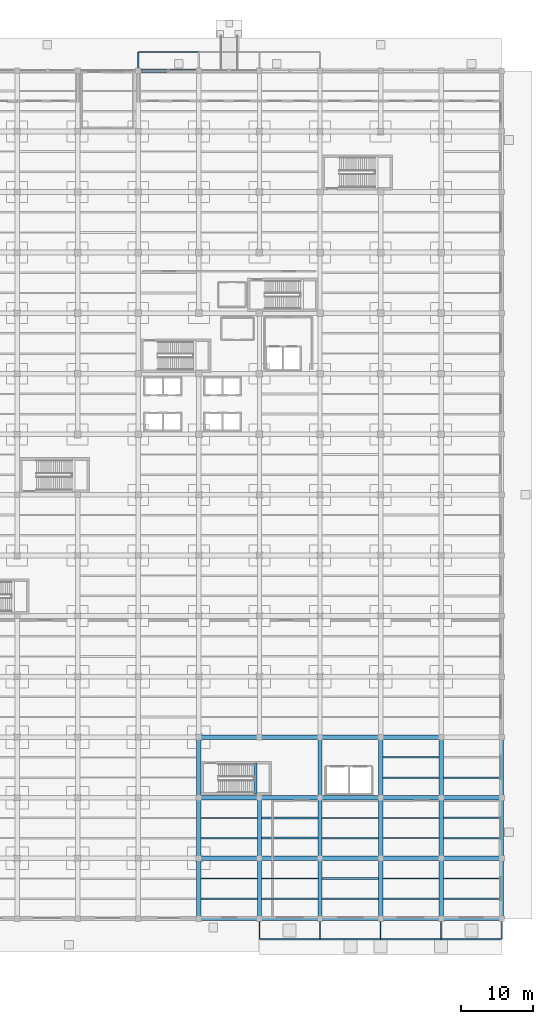
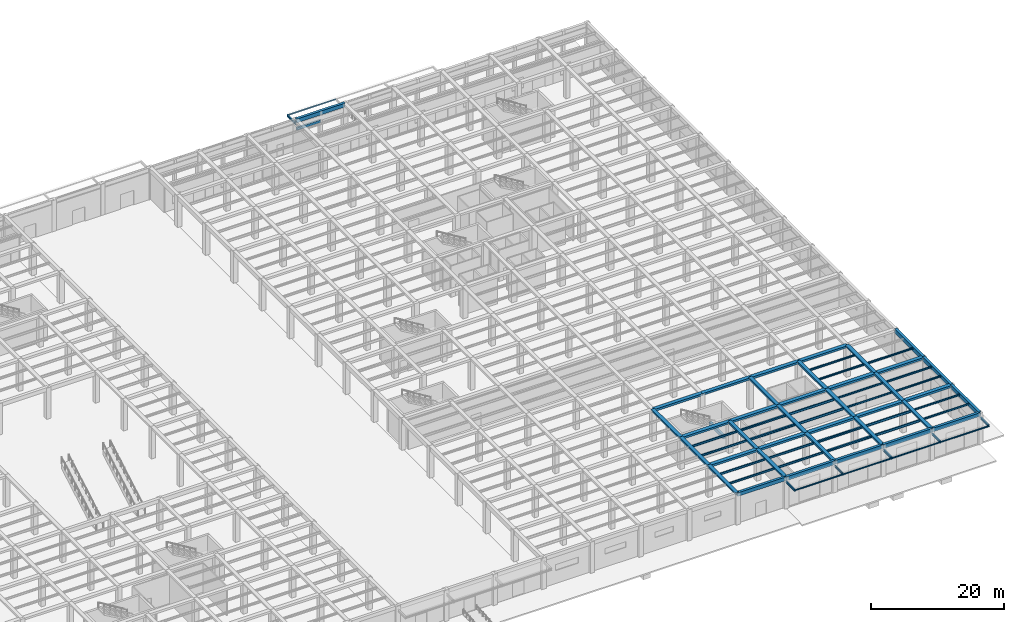
# One storey, part 12 of 43: 68 beams, 5 members.
"""IFC4 building model written with IfcOpenShell, lengths in metres."""

from ifc_helpers import new_model, si_unit, direction, frame, origin, origin_2d, place, context, subcontext, project, spatial, rectangle, hollow_rectangle, i_section, extrude, material, material_profile, profile_set, type_object, element, save


model = new_model("IFC4")

# Units and contexts
model_context = context("Model", 3, precision=1e-05, world=origin(), true_north=direction((0.0, 1.0)))
body_context = subcontext(model_context, "Body", "Model", "MODEL_VIEW")
ifc_project = project(units=[si_unit("LENGTHUNIT", "METRE"), si_unit("AREAUNIT", "SQUARE_METRE"), si_unit("VOLUMEUNIT", "CUBIC_METRE"), si_unit("PLANEANGLEUNIT", "RADIAN"), si_unit("MASSUNIT", "GRAM", prefix="KILO")], contexts=[model_context])

# Site, building, storey
site_placement = place(None, origin())
site = spatial("IfcSite", under=ifc_project, at=site_placement, CompositionType="ELEMENT")
building_placement = place(site_placement, origin())
building = spatial("IfcBuilding", under=site, at=building_placement, Name="Almacenes y Pasaje Nevantli", CompositionType="ELEMENT")
storey_placement = place(building_placement, origin())
storey = spatial("IfcBuildingStorey", under=building, at=storey_placement, Name="L01", CompositionType="ELEMENT", Elevation=0.0)

# Beams
ifc_material_1 = material(Name="Concrete C35/45", Category="concrete")
ifc_material_profile_1 = material_profile(ifc_material_1, rectangle(XDim=0.39990234375, YDim=0.60009765625, at=origin_2d()), Name="RC-BM-400x600")
ifc_profile_set_1 = profile_set([ifc_material_profile_1], Name="Concrete C35/45")
beam_type_1 = type_object("IfcBeamType", Name="BM-RC-400x600", PredefinedType="SPANDREL", material=ifc_profile_set_1)
beam_1_placement = place(storey_placement, frame((133.830078125, 17.35009765625, 2.5), z_axis=(0.0, 1.0, 0.0), x_axis=(-1.0, 0.0, 0.0)))
element("IfcBeam", 1, at=beam_1_placement, inside=storey, type_object=beam_type_1, Name="L01 Stair ST-06 Half-Landing Support Beam", PredefinedType="SPANDREL", context=body_context, shape_type="SweptSolid", body=[
    extrude(rectangle(XDim=0.39990234375, YDim=0.60009765625, at=origin_2d()), origin(), (0.0, 0.0, 1.0), 4.25),
])
ifc_material_2 = material(Name="Concrete C35/45", Category="concrete")
ifc_material_profile_2 = material_profile(ifc_material_2, rectangle(XDim=0.449951171875, YDim=0.64990234375, at=origin_2d()), Name="RC-BM-450x650")
ifc_profile_set_2 = profile_set([ifc_material_profile_2], Name="Concrete C35/45")
beam_type_2 = type_object("IfcBeamType", Name="BM-RC-450x650", PredefinedType="SPANDREL", material=ifc_profile_set_2)
for number, where, z_axis, x_axis, name in (
    (2, (126.0, 0.0, 5.375), (1.0, 0.0, 0.0), (0.0, 1.0, 0.0), "L01 East-West Reinforced Concrete Beam #1221"),
    (3, (142.800048828125, 0.0, 5.375), (1.0, 0.0, 0.0), (0.0, 1.0, 0.0), "L01 East-West Reinforced Concrete Beam #1223"),
    (4, (159.60009765625, 0.0, 5.375), (1.0, 0.0, 0.0), (0.0, 1.0, 0.0), "L01 East-West Reinforced Concrete Beam #1225"),
):
    element("IfcBeam", number, at=place(storey_placement, frame(where, z_axis=z_axis, x_axis=x_axis)), inside=storey, type_object=beam_type_2, Name=name, PredefinedType="SPANDREL", context=body_context, shape_type="SweptSolid", body=[
        extrude(rectangle(XDim=0.449951171875, YDim=0.64990234375, at=origin_2d()), origin(), (0.0, 0.0, 1.0), 8.39990234375),
    ])
ifc_material_3 = material(Name="Concrete C35/45", Category="concrete")
ifc_material_profile_3 = material_profile(ifc_material_3, rectangle(XDim=0.449951171875, YDim=0.699951171875, at=origin_2d()), Name="RC-BM-450x700")
ifc_profile_set_3 = profile_set([ifc_material_profile_3], Name="Concrete C35/45")
beam_type_3 = type_object("IfcBeamType", Name="BM-RC-450x700", PredefinedType="SPANDREL", material=ifc_profile_set_3)
for number, where, z_axis, x_axis, name in (
    (5, (134.39990234375, 0.0, 5.35009765625), (1.0, 0.0, 0.0), (0.0, 1.0, 0.0), "L01 East-West Reinforced Concrete Beam #1222"),
    (6, (151.199951171875, 0.0, 5.35009765625), (1.0, 0.0, 0.0), (0.0, 1.0, 0.0), "L01 East-West Reinforced Concrete Beam #1224"),
):
    element("IfcBeam", number, at=place(storey_placement, frame(where, z_axis=z_axis, x_axis=x_axis)), inside=storey, type_object=beam_type_3, Name=name, PredefinedType="SPANDREL", context=body_context, shape_type="SweptSolid", body=[
        extrude(rectangle(XDim=0.449951171875, YDim=0.699951171875, at=origin_2d()), origin(), (0.0, 0.0, 1.0), 8.400146484375),
    ])
for number, where, z_axis, x_axis, name in (
    (7, (117.60009765625, 117.60009765625, 5.35009765625), (1.0, 0.0, 0.0), (0.0, 1.0, 0.0), "L01 East-West Reinforced Concrete Beam #1446"),
    (8, (168.0, 0.0, 5.35009765625), (0.0, 1.0, 0.0), (-1.0, 0.0, 0.0), "L01 North-South Reinforced Concrete Beam #1675"),
):
    element("IfcBeam", number, at=place(storey_placement, frame(where, z_axis=z_axis, x_axis=x_axis)), inside=storey, type_object=beam_type_3, Name=name, PredefinedType="SPANDREL", context=body_context, shape_type="SweptSolid", body=[
        extrude(rectangle(XDim=0.449951171875, YDim=0.699951171875, at=origin_2d()), origin(), (0.0, 0.0, 1.0), 8.39990234375),
    ])
beam_2_placement = place(storey_placement, frame((168.0, 8.39990234375, 5.35009765625), z_axis=(0.0, 1.0, 0.0), x_axis=(-1.0, 0.0, 0.0)))
element("IfcBeam", 9, at=beam_2_placement, inside=storey, type_object=beam_type_3, Name="L01 North-South Reinforced Concrete Beam #1676", PredefinedType="SPANDREL", context=body_context, shape_type="SweptSolid", body=[
    extrude(rectangle(XDim=0.449951171875, YDim=0.699951171875, at=origin_2d()), origin(), (0.0, 0.0, 1.0), 8.400146484375),
])
beam_3_placement = place(storey_placement, frame((168.0, 16.800048828125, 5.35009765625), z_axis=(0.0, 1.0, 0.0), x_axis=(-1.0, 0.0, 0.0)))
element("IfcBeam", 10, at=beam_3_placement, inside=storey, type_object=beam_type_3, Name="L01 North-South Reinforced Concrete Beam #1677", PredefinedType="SPANDREL", context=body_context, shape_type="SweptSolid", body=[
    extrude(rectangle(XDim=0.449951171875, YDim=0.699951171875, at=origin_2d()), origin(), (0.0, 0.0, 1.0), 8.39990234375),
])
ifc_material_4 = material(Name="Concrete C35/45", Category="concrete")
ifc_material_profile_4 = material_profile(ifc_material_4, rectangle(XDim=0.60009765625, YDim=0.320068359375, at=origin_2d()), Name="RC-BM-600x320")
ifc_profile_set_4 = profile_set([ifc_material_profile_4], Name="Concrete C35/45")
beam_type_4 = type_object("IfcBeamType", Name="BM-RC-600x320", PredefinedType="BEAM", material=ifc_profile_set_4)
for number, where, z_axis, x_axis, name in (
    (11, (126.0, 0.0, 5.5400390625), (0.0, 1.0, 0.0), (-1.0, 0.0, 0.0), "L01 North-South Reinforced Concrete Beam #1609"),
    (12, (126.0, 16.800048828125, 5.5400390625), (0.0, 1.0, 0.0), (-1.0, 0.0, 0.0), "L01 North-South Reinforced Concrete Beam #1611"),
):
    element("IfcBeam", number, at=place(storey_placement, frame(where, z_axis=z_axis, x_axis=x_axis)), inside=storey, type_object=beam_type_4, Name=name, PredefinedType="BEAM", context=body_context, shape_type="SweptSolid", body=[
        extrude(rectangle(XDim=0.60009765625, YDim=0.320068359375, at=origin_2d()), origin(), (0.0, 0.0, 1.0), 8.39990234375),
    ])
beam_4_placement = place(storey_placement, frame((134.39990234375, 8.39990234375, 5.5400390625), z_axis=(0.0, 1.0, 0.0), x_axis=(-1.0, 0.0, 0.0)))
element("IfcBeam", 13, at=beam_4_placement, inside=storey, type_object=beam_type_4, Name="L01 North-South Reinforced Concrete Beam #1623", PredefinedType="BEAM", context=body_context, shape_type="SweptSolid", body=[
    extrude(rectangle(XDim=0.60009765625, YDim=0.320068359375, at=origin_2d()), origin(), (0.0, 0.0, 1.0), 8.400146484375),
])
for number, where, z_axis, x_axis, name in (
    (14, (142.800048828125, 0.0, 5.5400390625), (0.0, 1.0, 0.0), (-1.0, 0.0, 0.0), "L01 North-South Reinforced Concrete Beam #1634"),
    (15, (142.800048828125, 16.800048828125, 5.5400390625), (0.0, 1.0, 0.0), (-1.0, 0.0, 0.0), "L01 North-South Reinforced Concrete Beam #1636"),
):
    element("IfcBeam", number, at=place(storey_placement, frame(where, z_axis=z_axis, x_axis=x_axis)), inside=storey, type_object=beam_type_4, Name=name, PredefinedType="BEAM", context=body_context, shape_type="SweptSolid", body=[
        extrude(rectangle(XDim=0.60009765625, YDim=0.320068359375, at=origin_2d()), origin(), (0.0, 0.0, 1.0), 8.39990234375),
    ])
beam_5_placement = place(storey_placement, frame((151.199951171875, 8.39990234375, 5.5400390625), z_axis=(0.0, 1.0, 0.0), x_axis=(-1.0, 0.0, 0.0)))
element("IfcBeam", 16, at=beam_5_placement, inside=storey, type_object=beam_type_4, Name="L01 North-South Reinforced Concrete Beam #1649", PredefinedType="BEAM", context=body_context, shape_type="SweptSolid", body=[
    extrude(rectangle(XDim=0.60009765625, YDim=0.320068359375, at=origin_2d()), origin(), (0.0, 0.0, 1.0), 8.400146484375),
])
for number, where, z_axis, x_axis, name in (
    (17, (159.60009765625, 0.0, 5.5400390625), (0.0, 1.0, 0.0), (-1.0, 0.0, 0.0), "L01 North-South Reinforced Concrete Beam #1661"),
    (18, (159.60009765625, 16.800048828125, 5.5400390625), (0.0, 1.0, 0.0), (-1.0, 0.0, 0.0), "L01 North-South Reinforced Concrete Beam #1663"),
):
    element("IfcBeam", number, at=place(storey_placement, frame(where, z_axis=z_axis, x_axis=x_axis)), inside=storey, type_object=beam_type_4, Name=name, PredefinedType="BEAM", context=body_context, shape_type="SweptSolid", body=[
        extrude(rectangle(XDim=0.60009765625, YDim=0.320068359375, at=origin_2d()), origin(), (0.0, 0.0, 1.0), 8.39990234375),
    ])
ifc_material_5 = material(Name="Concrete C35/45", Category="concrete")
ifc_material_profile_5 = material_profile(ifc_material_5, rectangle(XDim=0.60009765625, YDim=0.340087890625, at=origin_2d()), Name="RC-BM-600x340")
ifc_profile_set_5 = profile_set([ifc_material_profile_5], Name="Concrete C35/45")
beam_type_5 = type_object("IfcBeamType", Name="BM-RC-600x340", PredefinedType="BEAM", material=ifc_profile_set_5)
beam_6_placement = place(storey_placement, frame((126.0, 8.39990234375, 5.530029296875), z_axis=(0.0, 1.0, 0.0), x_axis=(-1.0, 0.0, 0.0)))
element("IfcBeam", 19, at=beam_6_placement, inside=storey, type_object=beam_type_5, Name="L01 North-South Reinforced Concrete Beam #1610", PredefinedType="BEAM", context=body_context, shape_type="SweptSolid", body=[
    extrude(rectangle(XDim=0.60009765625, YDim=0.340087890625, at=origin_2d()), origin(), (0.0, 0.0, 1.0), 8.400146484375),
])
beam_7_placement = place(storey_placement, frame((134.39990234375, 0.0, 5.530029296875), z_axis=(0.0, 1.0, 0.0), x_axis=(-1.0, 0.0, 0.0)))
element("IfcBeam", 20, at=beam_7_placement, inside=storey, type_object=beam_type_5, Name="L01 North-South Reinforced Concrete Beam #1622", PredefinedType="BEAM", context=body_context, shape_type="SweptSolid", body=[
    extrude(rectangle(XDim=0.60009765625, YDim=0.340087890625, at=origin_2d()), origin(), (0.0, 0.0, 1.0), 8.39990234375),
])
beam_8_placement = place(storey_placement, frame((142.800048828125, 8.39990234375, 5.530029296875), z_axis=(0.0, 1.0, 0.0), x_axis=(-1.0, 0.0, 0.0)))
element("IfcBeam", 21, at=beam_8_placement, inside=storey, type_object=beam_type_5, Name="L01 North-South Reinforced Concrete Beam #1635", PredefinedType="BEAM", context=body_context, shape_type="SweptSolid", body=[
    extrude(rectangle(XDim=0.60009765625, YDim=0.340087890625, at=origin_2d()), origin(), (0.0, 0.0, 1.0), 8.400146484375),
])
for number, where, z_axis, x_axis, name in (
    (22, (151.199951171875, 0.0, 5.530029296875), (0.0, 1.0, 0.0), (-1.0, 0.0, 0.0), "L01 North-South Reinforced Concrete Beam #1648"),
    (23, (151.199951171875, 16.800048828125, 5.530029296875), (0.0, 1.0, 0.0), (-1.0, 0.0, 0.0), "L01 North-South Reinforced Concrete Beam #1650"),
):
    element("IfcBeam", number, at=place(storey_placement, frame(where, z_axis=z_axis, x_axis=x_axis)), inside=storey, type_object=beam_type_5, Name=name, PredefinedType="BEAM", context=body_context, shape_type="SweptSolid", body=[
        extrude(rectangle(XDim=0.60009765625, YDim=0.340087890625, at=origin_2d()), origin(), (0.0, 0.0, 1.0), 8.39990234375),
    ])
beam_9_placement = place(storey_placement, frame((159.60009765625, 8.39990234375, 5.530029296875), z_axis=(0.0, 1.0, 0.0), x_axis=(-1.0, 0.0, 0.0)))
element("IfcBeam", 24, at=beam_9_placement, inside=storey, type_object=beam_type_5, Name="L01 North-South Reinforced Concrete Beam #1662", PredefinedType="BEAM", context=body_context, shape_type="SweptSolid", body=[
    extrude(rectangle(XDim=0.60009765625, YDim=0.340087890625, at=origin_2d()), origin(), (0.0, 0.0, 1.0), 8.400146484375),
])
ifc_material_6 = material(Name="Concrete C35/45", Category="concrete")
ifc_material_profile_6 = material_profile(ifc_material_6, rectangle(XDim=0.64990234375, YDim=0.35009765625, at=origin_2d()), Name="RC-BM-650x350")
ifc_profile_set_6 = profile_set([ifc_material_profile_6], Name="Concrete C35/45")
beam_type_6 = type_object("IfcBeamType", Name="BM-RC-650x350", PredefinedType="BEAM", material=ifc_profile_set_6)
for number, where, z_axis, x_axis, name in (
    (25, (134.39990234375, 8.39990234375, 5.52490234375), (1.0, 0.0, 0.0), (0.0, 1.0, 0.0), "L01 East-West Reinforced Concrete Beam #1236"),
    (26, (151.199951171875, 8.39990234375, 5.52490234375), (1.0, 0.0, 0.0), (0.0, 1.0, 0.0), "L01 East-West Reinforced Concrete Beam #1238"),
):
    element("IfcBeam", number, at=place(storey_placement, frame(where, z_axis=z_axis, x_axis=x_axis)), inside=storey, type_object=beam_type_6, Name=name, PredefinedType="BEAM", context=body_context, shape_type="SweptSolid", body=[
        extrude(rectangle(XDim=0.64990234375, YDim=0.35009765625, at=origin_2d()), origin(), (0.0, 0.0, 1.0), 8.400146484375),
    ])
for number, where, z_axis, x_axis, name in (
    (27, (126.0, 16.800048828125, 5.52490234375), (1.0, 0.0, 0.0), (0.0, 1.0, 0.0), "L01 East-West Reinforced Concrete Beam #1249"),
    (28, (142.800048828125, 16.800048828125, 5.52490234375), (1.0, 0.0, 0.0), (0.0, 1.0, 0.0), "L01 East-West Reinforced Concrete Beam #1251"),
    (29, (159.60009765625, 16.800048828125, 5.52490234375), (1.0, 0.0, 0.0), (0.0, 1.0, 0.0), "L01 East-West Reinforced Concrete Beam #1253"),
):
    element("IfcBeam", number, at=place(storey_placement, frame(where, z_axis=z_axis, x_axis=x_axis)), inside=storey, type_object=beam_type_6, Name=name, PredefinedType="BEAM", context=body_context, shape_type="SweptSolid", body=[
        extrude(rectangle(XDim=0.64990234375, YDim=0.35009765625, at=origin_2d()), origin(), (0.0, 0.0, 1.0), 8.39990234375),
    ])
for number, where, z_axis, x_axis, name in (
    (30, (134.39990234375, 25.199951171875, 5.52490234375), (1.0, 0.0, 0.0), (0.0, 1.0, 0.0), "L01 East-West Reinforced Concrete Beam #1267"),
    (31, (151.199951171875, 25.199951171875, 5.52490234375), (1.0, 0.0, 0.0), (0.0, 1.0, 0.0), "L01 East-West Reinforced Concrete Beam #1269"),
):
    element("IfcBeam", number, at=place(storey_placement, frame(where, z_axis=z_axis, x_axis=x_axis)), inside=storey, type_object=beam_type_6, Name=name, PredefinedType="BEAM", context=body_context, shape_type="SweptSolid", body=[
        extrude(rectangle(XDim=0.64990234375, YDim=0.35009765625, at=origin_2d()), origin(), (0.0, 0.0, 1.0), 8.400146484375),
    ])
ifc_material_7 = material(Name="Concrete C35/45", Category="concrete")
ifc_material_profile_7 = material_profile(ifc_material_7, rectangle(XDim=0.64990234375, YDim=0.3798828125, at=origin_2d()), Name="RC-BM-650x380")
ifc_profile_set_7 = profile_set([ifc_material_profile_7], Name="Concrete C35/45")
beam_type_7 = type_object("IfcBeamType", Name="BM-RC-650x380", PredefinedType="BEAM", material=ifc_profile_set_7)
for number, where, z_axis, x_axis, name in (
    (32, (126.0, 8.39990234375, 5.510009765625), (1.0, 0.0, 0.0), (0.0, 1.0, 0.0), "L01 East-West Reinforced Concrete Beam #1235"),
    (33, (142.800048828125, 8.39990234375, 5.510009765625), (1.0, 0.0, 0.0), (0.0, 1.0, 0.0), "L01 East-West Reinforced Concrete Beam #1237"),
    (34, (159.60009765625, 8.39990234375, 5.510009765625), (1.0, 0.0, 0.0), (0.0, 1.0, 0.0), "L01 East-West Reinforced Concrete Beam #1239"),
):
    element("IfcBeam", number, at=place(storey_placement, frame(where, z_axis=z_axis, x_axis=x_axis)), inside=storey, type_object=beam_type_7, Name=name, PredefinedType="BEAM", context=body_context, shape_type="SweptSolid", body=[
        extrude(rectangle(XDim=0.64990234375, YDim=0.3798828125, at=origin_2d()), origin(), (0.0, 0.0, 1.0), 8.39990234375),
    ])
for number, where, z_axis, x_axis, name in (
    (35, (134.39990234375, 16.800048828125, 5.510009765625), (1.0, 0.0, 0.0), (0.0, 1.0, 0.0), "L01 East-West Reinforced Concrete Beam #1250"),
    (36, (151.199951171875, 16.800048828125, 5.510009765625), (1.0, 0.0, 0.0), (0.0, 1.0, 0.0), "L01 East-West Reinforced Concrete Beam #1252"),
):
    element("IfcBeam", number, at=place(storey_placement, frame(where, z_axis=z_axis, x_axis=x_axis)), inside=storey, type_object=beam_type_7, Name=name, PredefinedType="BEAM", context=body_context, shape_type="SweptSolid", body=[
        extrude(rectangle(XDim=0.64990234375, YDim=0.3798828125, at=origin_2d()), origin(), (0.0, 0.0, 1.0), 8.400146484375),
    ])
for number, where, z_axis, x_axis, name in (
    (37, (126.0, 25.199951171875, 5.510009765625), (1.0, 0.0, 0.0), (0.0, 1.0, 0.0), "L01 East-West Reinforced Concrete Beam #1266"),
    (38, (142.800048828125, 25.199951171875, 5.510009765625), (1.0, 0.0, 0.0), (0.0, 1.0, 0.0), "L01 East-West Reinforced Concrete Beam #1268"),
):
    element("IfcBeam", number, at=place(storey_placement, frame(where, z_axis=z_axis, x_axis=x_axis)), inside=storey, type_object=beam_type_7, Name=name, PredefinedType="BEAM", context=body_context, shape_type="SweptSolid", body=[
        extrude(rectangle(XDim=0.64990234375, YDim=0.3798828125, at=origin_2d()), origin(), (0.0, 0.0, 1.0), 8.39990234375),
    ])
ifc_material_8 = material(Name="Concrete C35/45", Category="concrete")
ifc_material_profile_8 = material_profile(ifc_material_8, rectangle(XDim=0.300048828125, YDim=0.449951171875, at=origin_2d()), Name="RC-LIN-300x450")
ifc_profile_set_8 = profile_set([ifc_material_profile_8], Name="Concrete C35/45")
beam_type_8 = type_object("IfcBeamType", Name="BM-RC-LIN300", PredefinedType="LINTEL", material=ifc_profile_set_8)
beam_10_placement = place(storey_placement, frame((117.60009765625, 117.5, 3.875), z_axis=(1.0, 0.0, 0.0), x_axis=(0.0, 1.0, 0.0)))
element("IfcBeam", 39, at=beam_10_placement, inside=storey, type_object=beam_type_8, Name="L01 Boulevard Portales Architrave Beam 15A", PredefinedType="LINTEL", context=body_context, shape_type="SweptSolid", body=[
    extrude(rectangle(XDim=0.300048828125, YDim=0.449951171875, at=origin_2d()), origin(), (0.0, 0.0, 1.0), 4.199951171875),
])
ifc_material_9 = material(Name="Steel ASTM A992", Category="steel")
ifc_material_profile_9 = material_profile(ifc_material_9, i_section(OverallWidth=0.1650390625, OverallDepth=0.306884765625, WebThickness=0.006591796875, FlangeThickness=0.01025390625, at=origin_2d()), Name="IR 305x44.6")
ifc_profile_set_9 = profile_set([ifc_material_profile_9], Name="Steel ASTM A992")
beam_type_9 = type_object("IfcBeamType", Name="BM-STL-IR-305x44p6", PredefinedType="JOIST", material=ifc_profile_set_9)
for number, where, z_axis, x_axis, name in (
    (40, (151.5, 11.199951171875, 5.53857421875), (1.0, 0.0, 0.0), (0.0, 1.0, 0.0), "L01 Secondary Steel Floor Joist #287"),
    (41, (151.5, 14.0, 5.53857421875), (1.0, 0.0, 0.0), (0.0, 1.0, 0.0), "L01 Secondary Steel Floor Joist #288"),
):
    element("IfcBeam", number, at=place(storey_placement, frame(where, z_axis=z_axis, x_axis=x_axis)), inside=storey, type_object=beam_type_9, Name=name, PredefinedType="JOIST", context=body_context, shape_type="SweptSolid", body=[
        extrude(i_section(OverallWidth=0.1650390625, OverallDepth=0.306884765625, WebThickness=0.006591796875, FlangeThickness=0.01025390625, at=origin_2d()), origin(), (0.0, 0.0, 1.0), 7.800048828125),
    ])
for number, where, z_axis, x_axis, name in (
    (42, (159.89990234375, 2.800048828125, 5.53857421875), (1.0, 0.0, 0.0), (0.0, 1.0, 0.0), "L01 Secondary Steel Floor Joist #311"),
    (43, (159.89990234375, 5.60009765625, 5.53857421875), (1.0, 0.0, 0.0), (0.0, 1.0, 0.0), "L01 Secondary Steel Floor Joist #312"),
):
    element("IfcBeam", number, at=place(storey_placement, frame(where, z_axis=z_axis, x_axis=x_axis)), inside=storey, type_object=beam_type_9, Name=name, PredefinedType="JOIST", context=body_context, shape_type="SweptSolid", body=[
        extrude(i_section(OverallWidth=0.1650390625, OverallDepth=0.306884765625, WebThickness=0.006591796875, FlangeThickness=0.01025390625, at=origin_2d()), origin(), (0.0, 0.0, 1.0), 7.875),
    ])
ifc_material_10 = material(Name="Steel ASTM A992", Category="steel")
ifc_material_profile_10 = material_profile(ifc_material_10, i_section(OverallWidth=0.202880859375, OverallDepth=0.304931640625, WebThickness=0.007568359375, FlangeThickness=0.01318359375, at=origin_2d()), Name="IR 305x59.5")
ifc_profile_set_10 = profile_set([ifc_material_profile_10], Name="Steel ASTM A992")
beam_type_10 = type_object("IfcBeamType", Name="BM-STL-IR-305x59p5", PredefinedType="JOIST", material=ifc_profile_set_10)
for number, where, z_axis, x_axis, name in (
    (44, (151.5, 19.60009765625, 5.53955078125), (1.0, 0.0, 0.0), (0.0, 1.0, 0.0), "L01 Secondary Steel Floor Joist #289"),
    (45, (151.5, 22.39990234375, 5.53955078125), (1.0, 0.0, 0.0), (0.0, 1.0, 0.0), "L01 Secondary Steel Floor Joist #290"),
):
    element("IfcBeam", number, at=place(storey_placement, frame(where, z_axis=z_axis, x_axis=x_axis)), inside=storey, type_object=beam_type_10, Name=name, PredefinedType="JOIST", context=body_context, shape_type="SweptSolid", body=[
        extrude(i_section(OverallWidth=0.202880859375, OverallDepth=0.304931640625, WebThickness=0.007568359375, FlangeThickness=0.01318359375, at=origin_2d()), origin(), (0.0, 0.0, 1.0), 7.800048828125),
    ])
for number, where, z_axis, x_axis, name in (
    (46, (159.89990234375, 11.199951171875, 5.53955078125), (1.0, 0.0, 0.0), (0.0, 1.0, 0.0), "L01 Secondary Steel Floor Joist #313"),
    (47, (159.89990234375, 14.0, 5.53955078125), (1.0, 0.0, 0.0), (0.0, 1.0, 0.0), "L01 Secondary Steel Floor Joist #314"),
):
    element("IfcBeam", number, at=place(storey_placement, frame(where, z_axis=z_axis, x_axis=x_axis)), inside=storey, type_object=beam_type_10, Name=name, PredefinedType="JOIST", context=body_context, shape_type="SweptSolid", body=[
        extrude(i_section(OverallWidth=0.202880859375, OverallDepth=0.304931640625, WebThickness=0.007568359375, FlangeThickness=0.01318359375, at=origin_2d()), origin(), (0.0, 0.0, 1.0), 7.875),
    ])
ifc_material_11 = material(Name="Steel ASTM A992", Category="steel")
ifc_material_profile_11 = material_profile(ifc_material_11, i_section(OverallWidth=0.205078125, OverallDepth=0.31005859375, WebThickness=0.009521484375, FlangeThickness=0.016357421875, at=origin_2d()), Name="IR 305x74.4")
ifc_profile_set_11 = profile_set([ifc_material_profile_11], Name="Steel ASTM A992")
beam_type_11 = type_object("IfcBeamType", Name="BM-STL-IR-305x74p4", PredefinedType="JOIST", material=ifc_profile_set_11)
beam_11_placement = place(storey_placement, frame((159.89990234375, 19.60009765625, 5.537109375), z_axis=(1.0, 0.0, 0.0), x_axis=(0.0, 1.0, 0.0)))
element("IfcBeam", 48, at=beam_11_placement, inside=storey, type_object=beam_type_11, Name="L01 Secondary Steel Floor Joist #315", PredefinedType="JOIST", context=body_context, shape_type="SweptSolid", body=[
    extrude(i_section(OverallWidth=0.205078125, OverallDepth=0.31005859375, WebThickness=0.009521484375, FlangeThickness=0.016357421875, at=origin_2d()), origin(), (0.0, 0.0, 1.0), 7.875),
])
ifc_material_12 = material(Name="Steel ASTM A992", Category="steel")
ifc_material_profile_12 = material_profile(ifc_material_12, i_section(OverallWidth=0.173095703125, OverallDepth=0.35302734375, WebThickness=0.0078125, FlangeThickness=0.01318359375, at=origin_2d()), Name="IR 356x56.6")
ifc_profile_set_12 = profile_set([ifc_material_profile_12], Name="Steel ASTM A992")
beam_type_12 = type_object("IfcBeamType", Name="BM-STL-IR-356x56p6", PredefinedType="JOIST", material=ifc_profile_set_12)
for number, where, z_axis, x_axis, name in (
    (49, (126.300048828125, 2.800048828125, 5.515380859375), (1.0, 0.0, 0.0), (0.0, 1.0, 0.0), "L01 Secondary Steel Floor Joist #219"),
    (50, (126.300048828125, 5.60009765625, 5.515380859375), (1.0, 0.0, 0.0), (0.0, 1.0, 0.0), "L01 Secondary Steel Floor Joist #220"),
):
    element("IfcBeam", number, at=place(storey_placement, frame(where, z_axis=z_axis, x_axis=x_axis)), inside=storey, type_object=beam_type_12, Name=name, PredefinedType="JOIST", context=body_context, shape_type="SweptSolid", body=[
        extrude(i_section(OverallWidth=0.173095703125, OverallDepth=0.35302734375, WebThickness=0.0078125, FlangeThickness=0.01318359375, at=origin_2d()), origin(), (0.0, 0.0, 1.0), 7.800048828125),
    ])
ifc_material_13 = material(Name="Steel ASTM A992", Category="steel")
ifc_material_profile_13 = material_profile(ifc_material_13, i_section(OverallWidth=0.173095703125, OverallDepth=0.364013671875, WebThickness=0.009033203125, FlangeThickness=0.015625, at=origin_2d()), Name="IR 356x67.0")
ifc_profile_set_13 = profile_set([ifc_material_profile_13], Name="Steel ASTM A992")
beam_type_13 = type_object("IfcBeamType", Name="BM-STL-IR-356x67p0", PredefinedType="JOIST", material=ifc_profile_set_13)
for number, where, z_axis, x_axis, name in (
    (51, (126.300048828125, 11.199951171875, 5.510009765625), (1.0, 0.0, 0.0), (0.0, 1.0, 0.0), "L01 Secondary Steel Floor Joist #221"),
    (52, (126.300048828125, 14.0, 5.510009765625), (1.0, 0.0, 0.0), (0.0, 1.0, 0.0), "L01 Secondary Steel Floor Joist #222"),
    (53, (134.699951171875, 2.800048828125, 5.510009765625), (1.0, 0.0, 0.0), (0.0, 1.0, 0.0), "L01 Secondary Steel Floor Joist #239"),
    (54, (134.699951171875, 5.60009765625, 5.510009765625), (1.0, 0.0, 0.0), (0.0, 1.0, 0.0), "L01 Secondary Steel Floor Joist #240"),
):
    element("IfcBeam", number, at=place(storey_placement, frame(where, z_axis=z_axis, x_axis=x_axis)), inside=storey, type_object=beam_type_13, Name=name, PredefinedType="JOIST", context=body_context, shape_type="SweptSolid", body=[
        extrude(i_section(OverallWidth=0.173095703125, OverallDepth=0.364013671875, WebThickness=0.009033203125, FlangeThickness=0.015625, at=origin_2d()), origin(), (0.0, 0.0, 1.0), 7.800048828125),
    ])
ifc_material_14 = material(Name="Steel ASTM A992", Category="steel")
ifc_material_profile_14 = material_profile(ifc_material_14, i_section(OverallWidth=0.25390625, OverallDepth=0.35595703125, WebThickness=0.009521484375, FlangeThickness=0.016357421875, at=origin_2d()), Name="IR 356x79.0")
ifc_profile_set_14 = profile_set([ifc_material_profile_14], Name="Steel ASTM A992")
beam_type_14 = type_object("IfcBeamType", Name="BM-STL-IR-356x79p0", PredefinedType="JOIST", material=ifc_profile_set_14)
for number, where, z_axis, x_axis, name in (
    (55, (134.699951171875, 11.199951171875, 5.513916015625), (1.0, 0.0, 0.0), (0.0, 1.0, 0.0), "L01 Secondary Steel Floor Joist #241"),
    (56, (134.699951171875, 14.0, 5.513916015625), (1.0, 0.0, 0.0), (0.0, 1.0, 0.0), "L01 Secondary Steel Floor Joist #242"),
):
    element("IfcBeam", number, at=place(storey_placement, frame(where, z_axis=z_axis, x_axis=x_axis)), inside=storey, type_object=beam_type_14, Name=name, PredefinedType="JOIST", context=body_context, shape_type="SweptSolid", body=[
        extrude(i_section(OverallWidth=0.25390625, OverallDepth=0.35595703125, WebThickness=0.009521484375, FlangeThickness=0.016357421875, at=origin_2d()), origin(), (0.0, 0.0, 1.0), 7.800048828125),
    ])
for number, where, z_axis, x_axis, name in (
    (57, (143.10009765625, 2.800048828125, 5.513916015625), (1.0, 0.0, 0.0), (0.0, 1.0, 0.0), "L01 Secondary Steel Floor Joist #261"),
    (58, (143.10009765625, 5.60009765625, 5.513916015625), (1.0, 0.0, 0.0), (0.0, 1.0, 0.0), "L01 Secondary Steel Floor Joist #262"),
):
    element("IfcBeam", number, at=place(storey_placement, frame(where, z_axis=z_axis, x_axis=x_axis)), inside=storey, type_object=beam_type_14, Name=name, PredefinedType="JOIST", context=body_context, shape_type="SweptSolid", body=[
        extrude(i_section(OverallWidth=0.25390625, OverallDepth=0.35595703125, WebThickness=0.009521484375, FlangeThickness=0.016357421875, at=origin_2d()), origin(), (0.0, 0.0, 1.0), 7.7998046875),
    ])
ifc_material_15 = material(Name="Steel ASTM A992", Category="steel")
ifc_material_profile_15 = material_profile(ifc_material_15, i_section(OverallWidth=0.178955078125, OverallDepth=0.406005859375, WebThickness=0.0087890625, FlangeThickness=0.014404296875, at=origin_2d()), Name="IR 406x67.0")
ifc_profile_set_15 = profile_set([ifc_material_profile_15], Name="Steel ASTM A992")
beam_type_15 = type_object("IfcBeamType", Name="BM-STL-IR-406x67p0", PredefinedType="JOIST", material=ifc_profile_set_15)
for number, where, z_axis, x_axis, name in (
    (59, (143.10009765625, 11.199951171875, 5.489013671875), (1.0, 0.0, 0.0), (0.0, 1.0, 0.0), "L01 Secondary Steel Floor Joist #263"),
    (60, (143.10009765625, 14.0, 5.489013671875), (1.0, 0.0, 0.0), (0.0, 1.0, 0.0), "L01 Secondary Steel Floor Joist #264"),
):
    element("IfcBeam", number, at=place(storey_placement, frame(where, z_axis=z_axis, x_axis=x_axis)), inside=storey, type_object=beam_type_15, Name=name, PredefinedType="JOIST", context=body_context, shape_type="SweptSolid", body=[
        extrude(i_section(OverallWidth=0.178955078125, OverallDepth=0.406005859375, WebThickness=0.0087890625, FlangeThickness=0.014404296875, at=origin_2d()), origin(), (0.0, 0.0, 1.0), 7.7998046875),
    ])
for number, where, z_axis, x_axis, name in (
    (61, (151.5, 2.800048828125, 5.489013671875), (1.0, 0.0, 0.0), (0.0, 1.0, 0.0), "L01 Secondary Steel Floor Joist #285"),
    (62, (151.5, 5.60009765625, 5.489013671875), (1.0, 0.0, 0.0), (0.0, 1.0, 0.0), "L01 Secondary Steel Floor Joist #286"),
):
    element("IfcBeam", number, at=place(storey_placement, frame(where, z_axis=z_axis, x_axis=x_axis)), inside=storey, type_object=beam_type_15, Name=name, PredefinedType="JOIST", context=body_context, shape_type="SweptSolid", body=[
        extrude(i_section(OverallWidth=0.178955078125, OverallDepth=0.406005859375, WebThickness=0.0087890625, FlangeThickness=0.014404296875, at=origin_2d()), origin(), (0.0, 0.0, 1.0), 7.800048828125),
    ])
ifc_material_16 = material(Name="Steel ASTM A992", Category="steel")
ifc_material_profile_16 = material_profile(ifc_material_16, i_section(OverallWidth=0.180908203125, OverallDepth=0.406005859375, WebThickness=0.010986328125, FlangeThickness=0.018310546875, at=origin_2d()), Name="IR 406x85.0")
ifc_profile_set_16 = profile_set([ifc_material_profile_16], Name="Steel ASTM A992")
beam_type_16 = type_object("IfcBeamType", Name="BM-STL-IR-406x85p0", PredefinedType="BEAM", material=ifc_profile_set_16)
beam_12_placement = place(storey_placement, frame((117.60009765625, 117.60009765625, 4.7099609375), z_axis=(0.0, 1.0, 0.0), x_axis=(-1.0, 0.0, 0.0)))
element("IfcBeam", 63, at=beam_12_placement, inside=storey, type_object=beam_type_16, Name="Canopy Cantilever Steel Outrigger cnp-north-tower at X=117.6", PredefinedType="BEAM", context=body_context, shape_type="SweptSolid", body=[
    extrude(i_section(OverallWidth=0.180908203125, OverallDepth=0.406005859375, WebThickness=0.010986328125, FlangeThickness=0.018310546875, at=origin_2d()), origin(), (0.0, 0.0, 1.0), 2.599853515625),
])
for number, where, z_axis, x_axis, name in (
    (64, (134.39990234375, 0.0, 4.81005859375), (0.0, -1.0, 0.0), (1.0, 0.0, 0.0), "Canopy Cantilever Steel Outrigger cnp-south-dock at X=134.4"),
    (65, (142.800048828125, 0.0, 4.81005859375), (0.0, -1.0, 0.0), (1.0, 0.0, 0.0), "Canopy Cantilever Steel Outrigger cnp-south-dock at X=142.8"),
    (66, (151.199951171875, 0.0, 4.81005859375), (0.0, -1.0, 0.0), (1.0, 0.0, 0.0), "Canopy Cantilever Steel Outrigger cnp-south-dock at X=151.2"),
    (67, (159.60009765625, 0.0, 4.81005859375), (0.0, -1.0, 0.0), (1.0, 0.0, 0.0), "Canopy Cantilever Steel Outrigger cnp-south-dock at X=159.6"),
    (68, (168.0, 0.0, 4.81005859375), (0.0, -1.0, 0.0), (1.0, 0.0, 0.0), "Canopy Cantilever Steel Outrigger cnp-south-dock at X=168.0"),
):
    element("IfcBeam", number, at=place(storey_placement, frame(where, z_axis=z_axis, x_axis=x_axis)), inside=storey, type_object=beam_type_16, Name=name, PredefinedType="BEAM", context=body_context, shape_type="SweptSolid", body=[
        extrude(i_section(OverallWidth=0.180908203125, OverallDepth=0.406005859375, WebThickness=0.010986328125, FlangeThickness=0.018310546875, at=origin_2d()), origin(), (0.0, 0.0, 1.0), 2.800048828125),
    ])

# Members
ifc_material_17 = material(Name="Steel ASTM A500 Grade C", Category="steel")
ifc_material_profile_17 = material_profile(ifc_material_17, hollow_rectangle(XDim=0.177734375, YDim=0.177734375, WallThickness=0.0078125, at=origin_2d()), Name="OR 178x178x7.9")
ifc_profile_set_17 = profile_set([ifc_material_profile_17], Name="Steel ASTM A500 Grade C")
member_type = type_object("IfcMemberType", Name="MBR-PUR-OR178x178", PredefinedType="PURLIN", material=ifc_profile_set_17)
member_1_placement = place(storey_placement, frame((117.60009765625, 120.199951171875, 4.7099609375), z_axis=(1.0, 0.0, 0.0), x_axis=(0.0, 1.0, 0.0)))
element("IfcMember", 69, at=member_1_placement, inside=storey, type_object=member_type, Name="Canopy Fascia Steel Purlin cnp-north-tower #1", PredefinedType="PURLIN", context=body_context, shape_type="SweptSolid", body=[
    extrude(hollow_rectangle(XDim=0.177734375, YDim=0.177734375, WallThickness=0.0078125, at=origin_2d()), origin(), (0.0, 0.0, 1.0), 8.39990234375),
])
member_2_placement = place(storey_placement, frame((134.39990234375, -2.800048828125, 4.81005859375), z_axis=(1.0, 0.0, 0.0), x_axis=(0.0, 1.0, 0.0)))
element("IfcMember", 70, at=member_2_placement, inside=storey, type_object=member_type, Name="Canopy Fascia Steel Purlin cnp-south-dock #1", PredefinedType="PURLIN", context=body_context, shape_type="SweptSolid", body=[
    extrude(hollow_rectangle(XDim=0.177734375, YDim=0.177734375, WallThickness=0.0078125, at=origin_2d()), origin(), (0.0, 0.0, 1.0), 8.400146484375),
])
member_3_placement = place(storey_placement, frame((142.800048828125, -2.800048828125, 4.81005859375), z_axis=(1.0, 0.0, 0.0), x_axis=(0.0, 1.0, 0.0)))
element("IfcMember", 71, at=member_3_placement, inside=storey, type_object=member_type, Name="Canopy Fascia Steel Purlin cnp-south-dock #2", PredefinedType="PURLIN", context=body_context, shape_type="SweptSolid", body=[
    extrude(hollow_rectangle(XDim=0.177734375, YDim=0.177734375, WallThickness=0.0078125, at=origin_2d()), origin(), (0.0, 0.0, 1.0), 8.39990234375),
])
member_4_placement = place(storey_placement, frame((151.199951171875, -2.800048828125, 4.81005859375), z_axis=(1.0, 0.0, 0.0), x_axis=(0.0, 1.0, 0.0)))
element("IfcMember", 72, at=member_4_placement, inside=storey, type_object=member_type, Name="Canopy Fascia Steel Purlin cnp-south-dock #3", PredefinedType="PURLIN", context=body_context, shape_type="SweptSolid", body=[
    extrude(hollow_rectangle(XDim=0.177734375, YDim=0.177734375, WallThickness=0.0078125, at=origin_2d()), origin(), (0.0, 0.0, 1.0), 8.400146484375),
])
member_5_placement = place(storey_placement, frame((159.60009765625, -2.800048828125, 4.81005859375), z_axis=(1.0, 0.0, 0.0), x_axis=(0.0, 1.0, 0.0)))
element("IfcMember", 73, at=member_5_placement, inside=storey, type_object=member_type, Name="Canopy Fascia Steel Purlin cnp-south-dock #4", PredefinedType="PURLIN", context=body_context, shape_type="SweptSolid", body=[
    extrude(hollow_rectangle(XDim=0.177734375, YDim=0.177734375, WallThickness=0.0078125, at=origin_2d()), origin(), (0.0, 0.0, 1.0), 8.39990234375),
])

save(model, "model.ifc")
